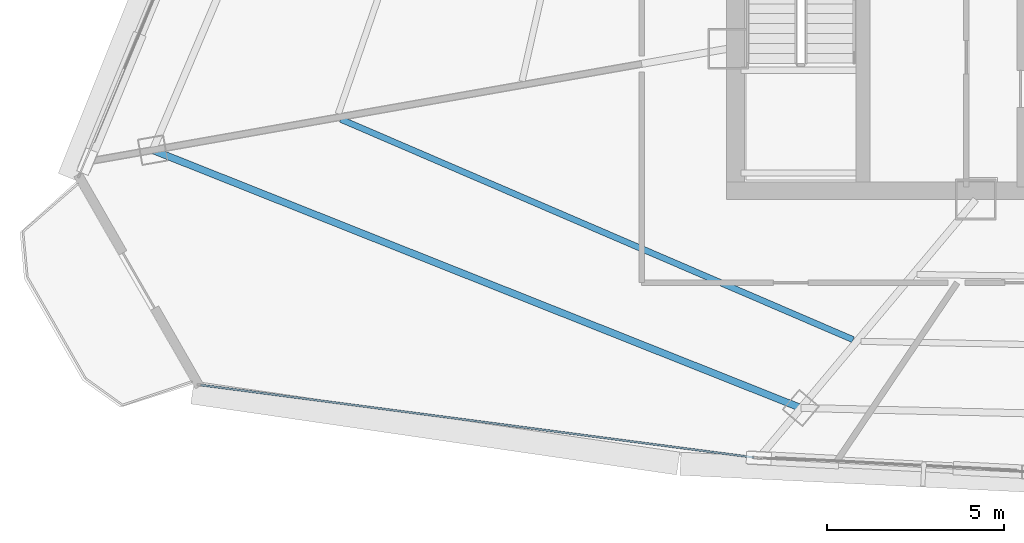
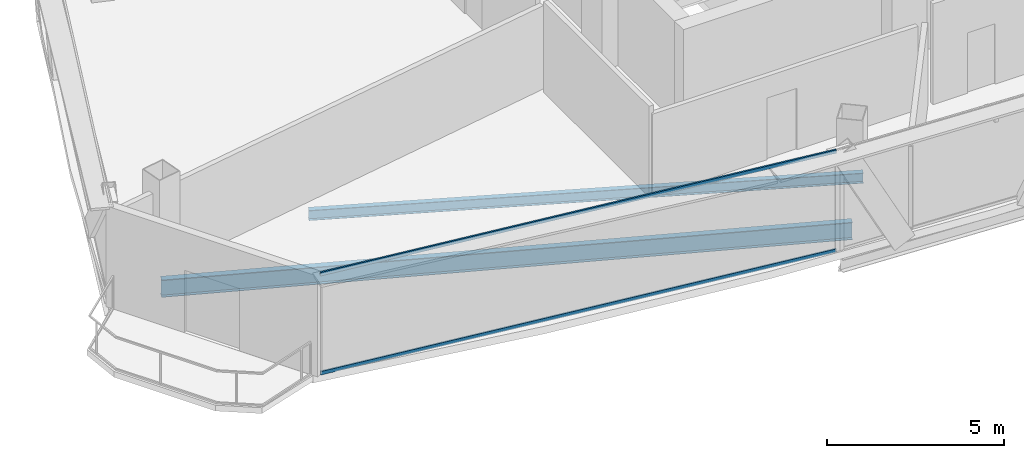
# One storey, part 3 of 35: 2 beams, 2 members, 1 element without a shape of its own.
"""IFC4 building model written with IfcOpenShell, lengths in metres."""

from ifc_helpers import new_model, si_unit, direction, frame, origin, origin_2d, place, context, subcontext, project, spatial, hollow_rectangle, i_section, extrude, source, transform, mapped, material, layer, layer_set, material_profile, profile_set, type_object, element, aggregate, save


model = new_model("IFC4")

# Units and contexts
model_context = context("Model", 3, precision=1e-05, world=origin(), true_north=direction((0.0, 1.0)))
body_context = subcontext(model_context, "Body", "Model", "MODEL_VIEW")
ifc_project = project(units=[si_unit("LENGTHUNIT", "METRE"), si_unit("AREAUNIT", "SQUARE_METRE"), si_unit("VOLUMEUNIT", "CUBIC_METRE"), si_unit("PLANEANGLEUNIT", "RADIAN"), si_unit("MASSUNIT", "GRAM", prefix="KILO"), si_unit("THERMODYNAMICTEMPERATUREUNIT", "KELVIN"), si_unit("POWERUNIT", "WATT")], contexts=[model_context])

# Site, building, storey
site_placement = place(None, origin())
site = spatial("IfcSite", under=ifc_project, at=site_placement, CompositionType="ELEMENT")
building_placement = place(site_placement, origin())
building = spatial("IfcBuilding", under=site, at=building_placement, Name="Yunzhuo Pagoda Commons", CompositionType="ELEMENT")
storey_placement = place(building_placement, frame((0.0, 0.0, 299.93994140625)))
storey = spatial("IfcBuildingStorey", under=building, at=storey_placement, Name="L75", CompositionType="ELEMENT", Elevation=299.93994140625)

# Beams
ifc_material_1 = material(Name="Structural steel Q355B", Category="steel")
ifc_material_profile_1 = material_profile(ifc_material_1, i_section(OverallWidth=0.199951171875, OverallDepth=0.60009765625, WebThickness=0.010986328125, FlangeThickness=0.01708984375, at=origin_2d()), Name="Structural steel Q355B")
ifc_profile_set_1 = profile_set([ifc_material_profile_1], Name="Structural steel Q355B")
beam_type_1 = type_object("IfcBeamType", Name="B-RG3 Beam HN 600x200x11x17", PredefinedType="BEAM", material=ifc_profile_set_1)
shared_shape_1 = source(origin(), body_context, "Body", "SweptSolid", [
    extrude(i_section(OverallWidth=0.199951171875, OverallDepth=0.60009765625, WebThickness=0.010986328125, FlangeThickness=0.01708984375, at=origin_2d()), origin(), (0.0, 0.0, 1.0), 19.70458984375),
])
beam_1_placement = place(storey_placement, frame((19.33837890625, 28.646240234375, -0.56005859375), z_axis=(0.929153602905, -0.369693903396, 0.0), x_axis=(0.369693903396, 0.929153602905, 0.0)))
element("IfcBeam", 1, at=beam_1_placement, inside=storey, type_object=beam_type_1, Name="L75 column-ring beam 12", PredefinedType="BEAM", context=body_context, shape_type="MappedRepresentation", body=[
    mapped(shared_shape_1, transform((0.0, 0.0, 0.0), scale=1.0)),
])
ifc_material_profile_2 = material_profile(ifc_material_1, i_section(OverallWidth=0.175048828125, OverallDepth=0.35009765625, WebThickness=0.007080078125, FlangeThickness=0.010986328125, at=origin_2d()), Name="Structural steel Q355B")
ifc_profile_set_2 = profile_set([ifc_material_profile_2], Name="Structural steel Q355B")
beam_type_2 = type_object("IfcBeamType", Name="B-JS2 Joist HN 350x175x7x11", PredefinedType="JOIST", material=ifc_profile_set_2)
shared_shape_2 = source(origin(), body_context, "Body", "SweptSolid", [
    extrude(i_section(OverallWidth=0.175048828125, OverallDepth=0.35009765625, WebThickness=0.007080078125, FlangeThickness=0.010986328125, at=origin_2d()), origin(), (0.0, 0.0, 1.0), 15.757568359375),
])
beam_2_placement = place(storey_placement, frame((24.647705078125, 29.5185546875, -0.43505859375), z_axis=(0.918597596679, -0.395194199573, 0.0), x_axis=(0.395194199573, 0.918597596679, 0.0)))
element("IfcBeam", 2, at=beam_2_placement, inside=storey, type_object=beam_type_2, Name="L75 composite ring joist 2.12", PredefinedType="JOIST", context=body_context, shape_type="MappedRepresentation", body=[
    mapped(shared_shape_2, transform((0.0, 0.0, 0.0), scale=1.0)),
])

# Curtain wall, members
ifc_material_2 = material(Name="Anodized aluminium 6063-T6", Category="aluminium")
ifc_layer = layer(ifc_material_2, 0.139892578125)
ifc_layer_set = layer_set([ifc_layer], Name="Anodized aluminium 6063-T6")
curtain_wall_type = type_object("IfcCurtainWallType", Name="CW-HI High-Zone Ribbon Curtain Wall", PredefinedType="NOTDEFINED", material=ifc_layer_set)
curtain_wall_placement = place(storey_placement, origin())
curtain_wall = element("IfcCurtainWall", 3, at=curtain_wall_placement, inside=storey, type_object=curtain_wall_type, Name="L75 curtain wall CW-L75-F1B1", PredefinedType="NOTDEFINED")
ifc_material_profile_3 = material_profile(ifc_material_2, hollow_rectangle(XDim=0.054931640625, YDim=0.1201171875, WallThickness=0.00341796875, at=origin_2d()), Name="Anodized aluminium 6063-T6")
ifc_profile_set_3 = profile_set([ifc_material_profile_3], Name="Anodized aluminium 6063-T6")
member_type = type_object("IfcMemberType", Name="CW-HI-T Transom RHS 120x55x3.5", PredefinedType="USERDEFINED", material=ifc_profile_set_3)
shared_shape_3 = source(origin(), body_context, "Body", "SweptSolid", [
    extrude(hollow_rectangle(XDim=0.054931640625, YDim=0.1201171875, WallThickness=0.00341796875, at=origin_2d()), origin(), (0.0, 0.0, 1.0), 15.765625),
])
member_1_placement = place(storey_placement, frame((20.692626953125, 22.010009765625, 0.027587890625), z_axis=(0.99153396289, -0.129847604661, 0.0), x_axis=(0.129847604661, 0.99153396289, 0.0)))
member_1 = element("IfcMember", 4, at=member_1_placement, type_object=member_type, Name="CW transom 1.1", ObjectType="TRANSOM", PredefinedType="USERDEFINED", context=body_context, shape_type="MappedRepresentation", body=[
    mapped(shared_shape_3, transform((0.0, 0.0, 0.0), scale=1.0)),
])
member_2_placement = place(storey_placement, frame((20.692626953125, 22.010009765625, 3.442626953125), z_axis=(0.99153396289, -0.129847604661, 0.0), x_axis=(0.129847604661, 0.99153396289, 0.0)))
member_2 = element("IfcMember", 5, at=member_2_placement, type_object=member_type, Name="CW transom 1.2", ObjectType="TRANSOM", PredefinedType="USERDEFINED", context=body_context, shape_type="MappedRepresentation", body=[
    mapped(shared_shape_3, transform((0.0, 0.0, 0.0), scale=1.0)),
])
aggregate(curtain_wall, [member_1, member_2])

save(model, "model.ifc")
